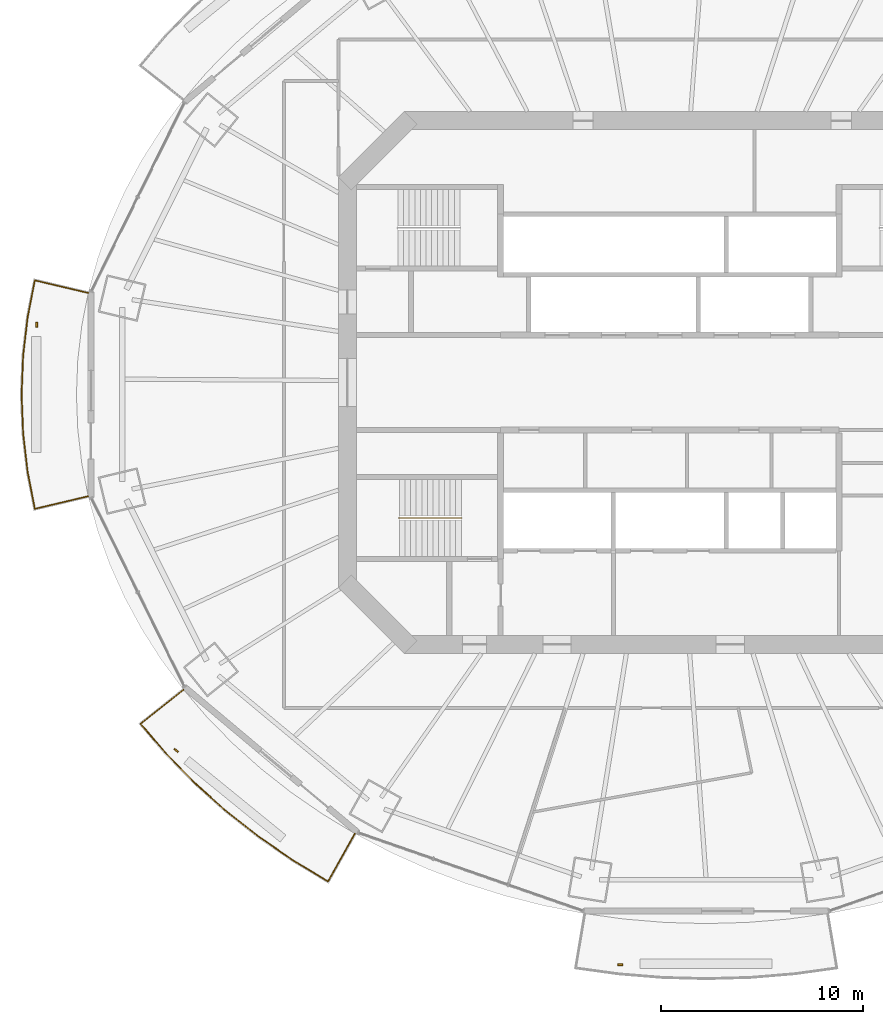
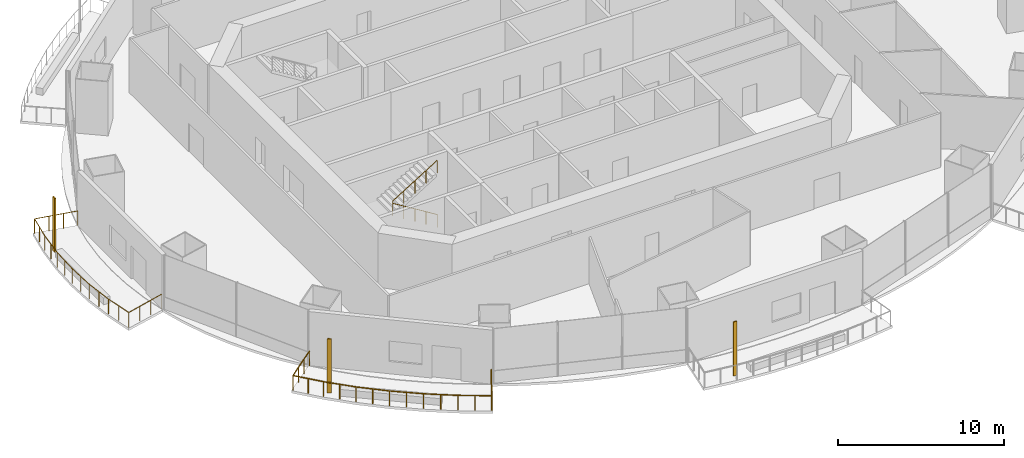
# One storey, part 15 of 20: 3 railings, 3 shading devices.
"""IFC4 building model written with IfcOpenShell, lengths in metres."""

from ifc_helpers import new_model, si_unit, direction, frame, origin, origin_2d, place, context, subcontext, project, spatial, rectangle, circle, extrude, material, material_profile, profile_set, type_object, element, save


model = new_model("IFC4")

# Units and contexts
model_context = context("Model", 3, precision=1e-05, world=origin(), true_north=direction((0.0, 1.0)))
body_context = subcontext(model_context, "Body", "Model", "MODEL_VIEW")
ifc_project = project(units=[si_unit("LENGTHUNIT", "METRE"), si_unit("AREAUNIT", "SQUARE_METRE"), si_unit("VOLUMEUNIT", "CUBIC_METRE"), si_unit("PLANEANGLEUNIT", "RADIAN"), si_unit("MASSUNIT", "GRAM", prefix="KILO")], contexts=[model_context])

# Site, building, storey
site_placement = place(None, origin())
site = spatial("IfcSite", under=ifc_project, at=site_placement, CompositionType="ELEMENT")
building_placement = place(site_placement, origin())
building = spatial("IfcBuilding", under=site, at=building_placement, Name="Marenthal Gate Tower", CompositionType="ELEMENT")
storey_placement = place(building_placement, frame((0.0, 0.0, 210.85009765625)))
storey = spatial("IfcBuildingStorey", under=building, at=storey_placement, Name="L46", CompositionType="ELEMENT", Elevation=210.85009765625)

# Railings
ifc_material_1 = material(Name="Stainless steel", Category="steel")
railing_type_1 = type_object("IfcRailingType", Name="Balcony guard 1100", PredefinedType="GUARDRAIL", material=ifc_material_1)
railing_1_placement = place(storey_placement, frame((-28.867919921875, -5.643310546875, 0.0)))
element("IfcRailing", 1, at=railing_1_placement, inside=storey, type_object=railing_type_1, Name="Balcony guard L46 bay 8", PredefinedType="GUARDRAIL", context=body_context, shape_type="SweptSolid", body=[
    extrude(circle(Radius=0.02392578125, at=origin_2d()), frame((0.0, 0.0, 1.076171875), z_axis=(-0.97303205389, -0.230199891, -0.014718433577), x_axis=(0.230224829417, -0.973137466096, 0.0)), (0.0, 0.0, 1.0), 2.72021484375),
    extrude(circle(Radius=0.02392578125, at=origin_2d()), frame((-2.64697265625, -0.626220703125, 1.0361328125), z_axis=(-0.191182873219, 0.981554435061, 0.0), x_axis=(-0.981554435061, -0.191182873219, 0.0)), (0.0, 0.0, 1.0), 1.856689453125),
    extrude(circle(Radius=0.02392578125, at=origin_2d()), frame((-3.001953125, 1.1962890625, 1.0361328125), z_axis=(-0.116503993111, 0.993190223265, 0.0), x_axis=(-0.993190223265, -0.116503993111, 0.0)), (0.0, 0.0, 1.0), 1.93212890625),
    extrude(circle(Radius=0.02392578125, at=origin_2d()), frame((-3.22705078125, 3.115234375, 1.0361328125), z_axis=(-0.038846179196, 0.999245202321, 0.0), x_axis=(-0.999245202321, -0.038846179196, 0.0)), (0.0, 0.0, 1.0), 1.929443359375),
    extrude(circle(Radius=0.02392578125, at=origin_2d()), frame((-3.302001953125, 5.043212890625, 1.0361328125), z_axis=(0.038841268134, 0.999245393229, 0.0), x_axis=(-0.999245393229, 0.038841268134, 0.0)), (0.0, 0.0, 1.0), 1.9296875),
    extrude(circle(Radius=0.02392578125, at=origin_2d()), frame((-3.22705078125, 6.971435546875, 1.0361328125), z_axis=(0.116503993111, 0.993190223265, 0.0), x_axis=(-0.993190223265, 0.116503993111, 0.0)), (0.0, 0.0, 1.0), 1.93212890625),
    extrude(circle(Radius=0.02392578125, at=origin_2d()), frame((-3.001953125, 8.890380859375, 1.0361328125), z_axis=(0.19120755082, 0.981549628144, 0.0), x_axis=(-0.981549628144, 0.19120755082, 0.0)), (0.0, 0.0, 1.0), 1.8564453125),
    extrude(circle(Radius=0.02392578125, at=origin_2d()), frame((-2.64697265625, 10.712646484375, 1.0361328125), z_axis=(0.973052153091, -0.230114897669, 0.014718737604), x_axis=(0.230139827907, 0.97315757183, 0.0)), (0.0, 0.0, 1.0), 2.72021484375),
    extrude(circle(Radius=0.02099609375, at=origin_2d()), origin(), (0.0, 0.0, 1.0), 1.052001953125),
    extrude(circle(Radius=0.02099609375, at=origin_2d()), frame((-0.88232421875, -0.208740234375, -0.013427734375)), (0.0, 0.0, 1.0), 1.052001953125),
    extrude(circle(Radius=0.02099609375, at=origin_2d()), frame((-1.7646484375, -0.41748046875, -0.026611328125)), (0.0, 0.0, 1.0), 1.052001953125),
    extrude(circle(Radius=0.02099609375, at=origin_2d()), frame((-2.64697265625, -0.626220703125, -0.0400390625)), (0.0, 0.0, 1.0), 1.052001953125),
    extrude(circle(Radius=0.02099609375, at=origin_2d()), frame((-2.824462890625, 0.28515625, -0.0400390625)), (0.0, 0.0, 1.0), 1.052001953125),
    extrude(circle(Radius=0.02099609375, at=origin_2d()), frame((-3.001953125, 1.1962890625, -0.0400390625)), (0.0, 0.0, 1.0), 1.052001953125),
    extrude(circle(Radius=0.02099609375, at=origin_2d()), frame((-3.114501953125, 2.15576171875, -0.0400390625)), (0.0, 0.0, 1.0), 1.052001953125),
    extrude(circle(Radius=0.02099609375, at=origin_2d()), frame((-3.22705078125, 3.115234375, -0.0400390625)), (0.0, 0.0, 1.0), 1.052001953125),
    extrude(circle(Radius=0.02099609375, at=origin_2d()), frame((-3.2646484375, 4.0791015625, -0.0400390625)), (0.0, 0.0, 1.0), 1.052001953125),
    extrude(circle(Radius=0.02099609375, at=origin_2d()), frame((-3.302001953125, 5.043212890625, -0.0400390625)), (0.0, 0.0, 1.0), 1.052001953125),
    extrude(circle(Radius=0.02099609375, at=origin_2d()), frame((-3.2646484375, 6.00732421875, -0.0400390625)), (0.0, 0.0, 1.0), 1.052001953125),
    extrude(circle(Radius=0.02099609375, at=origin_2d()), frame((-3.22705078125, 6.971435546875, -0.0400390625)), (0.0, 0.0, 1.0), 1.052001953125),
    extrude(circle(Radius=0.02099609375, at=origin_2d()), frame((-3.114501953125, 7.930908203125, -0.0400390625)), (0.0, 0.0, 1.0), 1.052001953125),
    extrude(circle(Radius=0.02099609375, at=origin_2d()), frame((-3.001953125, 8.890380859375, -0.0400390625)), (0.0, 0.0, 1.0), 1.052001953125),
    extrude(circle(Radius=0.02099609375, at=origin_2d()), frame((-2.824462890625, 9.801513671875, -0.0400390625)), (0.0, 0.0, 1.0), 1.052001953125),
    extrude(circle(Radius=0.02099609375, at=origin_2d()), frame((-2.64697265625, 10.712646484375, -0.0400390625)), (0.0, 0.0, 1.0), 1.052001953125),
    extrude(circle(Radius=0.02099609375, at=origin_2d()), frame((-1.7646484375, 10.50390625, -0.026611328125)), (0.0, 0.0, 1.0), 1.052001953125),
    extrude(circle(Radius=0.02099609375, at=origin_2d()), frame((-0.88232421875, 10.29541015625, -0.013427734375)), (0.0, 0.0, 1.0), 1.052001953125),
    extrude(circle(Radius=0.02099609375, at=origin_2d()), frame((0.0, 10.086669921875, 0.0)), (0.0, 0.0, 1.0), 1.052001953125),
])
railing_2_placement = place(storey_placement, frame((-15.63134765625, -22.386962890625, 0.0)))
element("IfcRailing", 2, at=railing_2_placement, inside=storey, type_object=railing_type_1, Name="Balcony guard L46 bay 10", PredefinedType="GUARDRAIL", context=body_context, shape_type="SweptSolid", body=[
    extrude(circle(Radius=0.02392578125, at=origin_2d()), frame((0.0, 0.0, 1.076171875), z_axis=(-0.489760652224, -0.871732676388, -0.014718846796), x_axis=(0.871827119757, -0.489813712809, 0.0)), (0.0, 0.0, 1.0), 2.72021484375),
    extrude(circle(Radius=0.02392578125, at=origin_2d()), frame((-1.332275390625, -2.371337890625, 1.0361328125), z_axis=(-0.856107698036, 0.516797454873, 0.0), x_axis=(-0.516797454873, -0.856107698036, 0.0)), (0.0, 0.0, 1.0), 2.026123046875),
    extrude(circle(Radius=0.02392578125, at=origin_2d()), frame((-3.06689453125, -1.32421875, 1.0361328125), z_axis=(-0.823321977979, 0.567574594724, 0.0), x_axis=(-0.567574594724, -0.823321977979, 0.0)), (0.0, 0.0, 1.0), 2.089599609375),
    extrude(circle(Radius=0.02392578125, at=origin_2d()), frame((-4.787353515625, -0.13818359375, 1.0361328125), z_axis=(-0.78593395674, 0.618310452477, 0.0), x_axis=(-0.618310452477, -0.78593395674, 0.0)), (0.0, 0.0, 1.0), 2.072509765625),
    extrude(circle(Radius=0.02392578125, at=origin_2d()), frame((-6.416259765625, 1.143310546875, 1.0361328125), z_axis=(-0.744380056443, 0.667756191712, 0.0), x_axis=(-0.667756191712, -0.744380056443, 0.0)), (0.0, 0.0, 1.0), 2.05517578125),
    extrude(circle(Radius=0.02392578125, at=origin_2d()), frame((-7.946044921875, 2.515625, 1.0361328125), z_axis=(-0.698792276333, 0.715324649748, 0.0), x_axis=(-0.715324649748, -0.698792276333, 0.0)), (0.0, 0.0, 1.0), 2.037841796875),
    extrude(circle(Radius=0.02392578125, at=origin_2d()), frame((-9.3701171875, 3.973388671875, 1.0361328125), z_axis=(-0.650003821806, 0.759930938729, 0.0), x_axis=(-0.759930938729, -0.650003821806, 0.0)), (0.0, 0.0, 1.0), 1.941162109375),
    extrude(circle(Radius=0.02392578125, at=origin_2d()), frame((-10.6318359375, 5.448486328125, 1.0361328125), z_axis=(0.782855020802, 0.62203005264, 0.014718356461), x_axis=(-0.622097438779, 0.78293982953, 0.0)), (0.0, 0.0, 1.0), 2.720458984375),
    extrude(circle(Radius=0.02099609375, at=origin_2d()), origin(), (0.0, 0.0, 1.0), 1.052001953125),
    extrude(circle(Radius=0.02099609375, at=origin_2d()), frame((-0.444091796875, -0.79052734375, -0.013427734375)), (0.0, 0.0, 1.0), 1.052001953125),
    extrude(circle(Radius=0.02099609375, at=origin_2d()), frame((-0.88818359375, -1.580810546875, -0.026611328125)), (0.0, 0.0, 1.0), 1.052001953125),
    extrude(circle(Radius=0.02099609375, at=origin_2d()), frame((-1.332275390625, -2.371337890625, -0.0400390625)), (0.0, 0.0, 1.0), 1.052001953125),
    extrude(circle(Radius=0.02099609375, at=origin_2d()), frame((-2.19970703125, -1.84765625, -0.0400390625)), (0.0, 0.0, 1.0), 1.052001953125),
    extrude(circle(Radius=0.02099609375, at=origin_2d()), frame((-3.06689453125, -1.32421875, -0.0400390625)), (0.0, 0.0, 1.0), 1.052001953125),
    extrude(circle(Radius=0.02099609375, at=origin_2d()), frame((-3.92724609375, -0.731201171875, -0.0400390625)), (0.0, 0.0, 1.0), 1.052001953125),
    extrude(circle(Radius=0.02099609375, at=origin_2d()), frame((-4.787353515625, -0.13818359375, -0.0400390625)), (0.0, 0.0, 1.0), 1.052001953125),
    extrude(circle(Radius=0.02099609375, at=origin_2d()), frame((-5.601806640625, 0.50244140625, -0.0400390625)), (0.0, 0.0, 1.0), 1.052001953125),
    extrude(circle(Radius=0.02099609375, at=origin_2d()), frame((-6.416259765625, 1.143310546875, -0.0400390625)), (0.0, 0.0, 1.0), 1.052001953125),
    extrude(circle(Radius=0.02099609375, at=origin_2d()), frame((-7.18115234375, 1.82958984375, -0.0400390625)), (0.0, 0.0, 1.0), 1.052001953125),
    extrude(circle(Radius=0.02099609375, at=origin_2d()), frame((-7.946044921875, 2.515625, -0.0400390625)), (0.0, 0.0, 1.0), 1.052001953125),
    extrude(circle(Radius=0.02099609375, at=origin_2d()), frame((-8.658203125, 3.24462890625, -0.0400390625)), (0.0, 0.0, 1.0), 1.052001953125),
    extrude(circle(Radius=0.02099609375, at=origin_2d()), frame((-9.3701171875, 3.973388671875, -0.0400390625)), (0.0, 0.0, 1.0), 1.052001953125),
    extrude(circle(Radius=0.02099609375, at=origin_2d()), frame((-10.0009765625, 4.7109375, -0.0400390625)), (0.0, 0.0, 1.0), 1.052001953125),
    extrude(circle(Radius=0.02099609375, at=origin_2d()), frame((-10.6318359375, 5.448486328125, -0.0400390625)), (0.0, 0.0, 1.0), 1.052001953125),
    extrude(circle(Radius=0.02099609375, at=origin_2d()), frame((-9.921875, 6.012451171875, -0.026611328125)), (0.0, 0.0, 1.0), 1.052001953125),
    extrude(circle(Radius=0.02099609375, at=origin_2d()), frame((-9.212158203125, 6.57666015625, -0.013427734375)), (0.0, 0.0, 1.0), 1.052001953125),
    extrude(circle(Radius=0.02099609375, at=origin_2d()), frame((-8.502197265625, 7.140625, 0.0)), (0.0, 0.0, 1.0), 1.052001953125),
])
ifc_material_2 = material(Name="Stainless steel", Category="steel")
railing_type_2 = type_object("IfcRailingType", Name="Stair handrail", PredefinedType="HANDRAIL", material=ifc_material_2)
railing_3_placement = place(storey_placement, frame((-10.35009765625, -6.72509765625, 0.1728515625)))
element("IfcRailing", 3, at=railing_3_placement, inside=storey, type_object=railing_type_2, Name="Handrail ST2", PredefinedType="HANDRAIL", context=body_context, shape_type="SweptSolid", body=[
    extrude(circle(Radius=0.0224609375, at=origin_2d()), frame((0.0, 0.0, 0.927490234375), z_axis=(-0.850816621229, 0.0, 0.525462726595), x_axis=(0.0, -1.0, 0.0)), (0.0, 0.0, 1.0), 3.619873046875),
    extrude(circle(Radius=0.0224609375, at=origin_2d()), frame((-3.079833984375, 0.0, 2.82958984375), z_axis=(0.0, 0.0, 1.0), x_axis=(1.0, 0.0, 0.0)), (0.0, 0.0, 1.0), 0.1728515625),
    extrude(circle(Radius=0.0224609375, at=origin_2d()), frame((-3.079833984375, 0.0, 3.00244140625), z_axis=(0.850816621229, 0.0, 0.525462726595), x_axis=(0.0, 1.0, 0.0)), (0.0, 0.0, 1.0), 3.619873046875),
    extrude(circle(Radius=0.02001953125, at=origin_2d()), origin(), (0.0, 0.0, 1.0), 0.905029296875),
    extrude(circle(Radius=0.02001953125, at=origin_2d()), frame((-0.77001953125, 0.0, 0.4755859375)), (0.0, 0.0, 1.0), 0.905029296875),
    extrude(circle(Radius=0.02001953125, at=origin_2d()), frame((-1.5400390625, 0.0, 0.951171875)), (0.0, 0.0, 1.0), 0.905029296875),
    extrude(circle(Radius=0.02001953125, at=origin_2d()), frame((-2.309814453125, 0.0, 1.426513671875)), (0.0, 0.0, 1.0), 0.905029296875),
    extrude(circle(Radius=0.02001953125, at=origin_2d()), frame((-3.079833984375, 0.0, 1.902099609375)), (0.0, 0.0, 1.0), 0.905029296875),
    extrude(circle(Radius=0.02001953125, at=origin_2d()), frame((-3.079833984375, 0.0, 2.074951171875)), (0.0, 0.0, 1.0), 0.905029296875),
    extrude(circle(Radius=0.02001953125, at=origin_2d()), frame((-2.309814453125, 0.0, 2.550537109375)), (0.0, 0.0, 1.0), 0.905029296875),
    extrude(circle(Radius=0.02001953125, at=origin_2d()), frame((-1.5400390625, 0.0, 3.02587890625)), (0.0, 0.0, 1.0), 0.905029296875),
    extrude(circle(Radius=0.02001953125, at=origin_2d()), frame((-0.77001953125, 0.0, 3.50146484375)), (0.0, 0.0, 1.0), 0.905029296875),
    extrude(circle(Radius=0.02001953125, at=origin_2d()), frame((0.0, 0.0, 3.97705078125)), (0.0, 0.0, 1.0), 0.905029296875),
])

# Shading devices
ifc_material_3 = material(Name="Terracotta", Category="masonry")
ifc_material_profile = material_profile(ifc_material_3, rectangle(XDim=0.25, YDim=0.080078125, at=origin_2d()), Name="Terracotta baguette 250x80")
ifc_profile_set = profile_set([ifc_material_profile], Name="Terracotta")
shading_device_type = type_object("IfcShadingDeviceType", Name="Terracotta BAGUETTE SCREEN 250x80", PredefinedType="USERDEFINED", material=ifc_profile_set)
for number, where, z_axis, x_axis, name in (
    (4, (-31.41796875, 2.8662109375, -0.0400390625), (0.0, 0.0, 1.0), (0.0, -1.0, 0.0), "Terracotta BAGUETTE L46 bay 8L"),
    (5, (-24.4970703125, -18.259765625, -0.0400390625), (0.0, 0.0, 1.0), (0.765627996549, -0.643283585131, 0.0), "Terracotta BAGUETTE L46 bay 10L"),
    (6, (-2.4580078125, -28.89501953125, -0.0400390625), (0.0, 0.0, 1.0), (1.0, 0.0, 0.0), "Terracotta BAGUETTE L46 bay 12L"),
):
    element("IfcShadingDevice", number, at=place(storey_placement, frame(where, z_axis=z_axis, x_axis=x_axis)), inside=storey, type_object=shading_device_type, Name=name, ObjectType="BAGUETTE SCREEN", PredefinedType="USERDEFINED", context=body_context, shape_type="SweptSolid", body=[
        extrude(rectangle(XDim=0.25, YDim=0.080078125, at=origin_2d()), origin(), (0.0, 0.0, 1.0), 3.969970703125),
    ])

save(model, "model.ifc")
